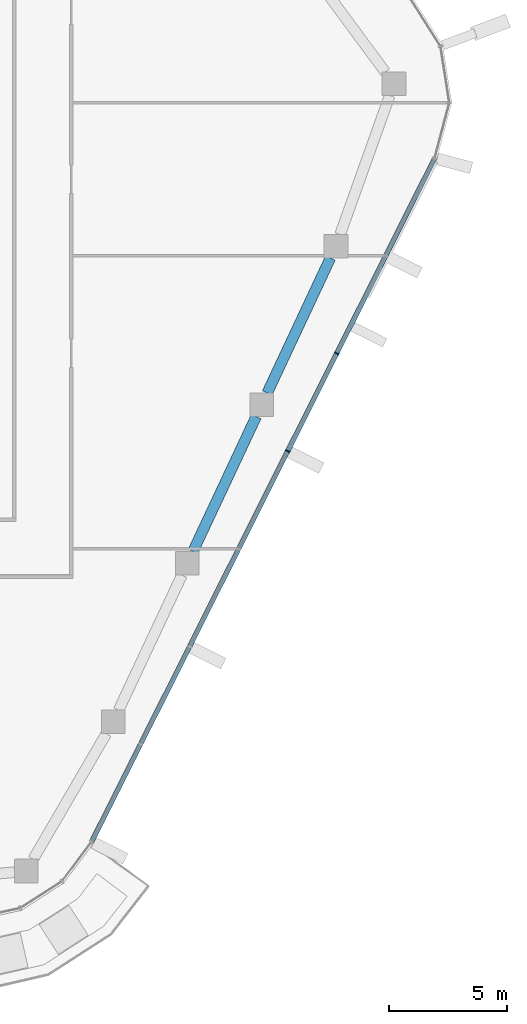
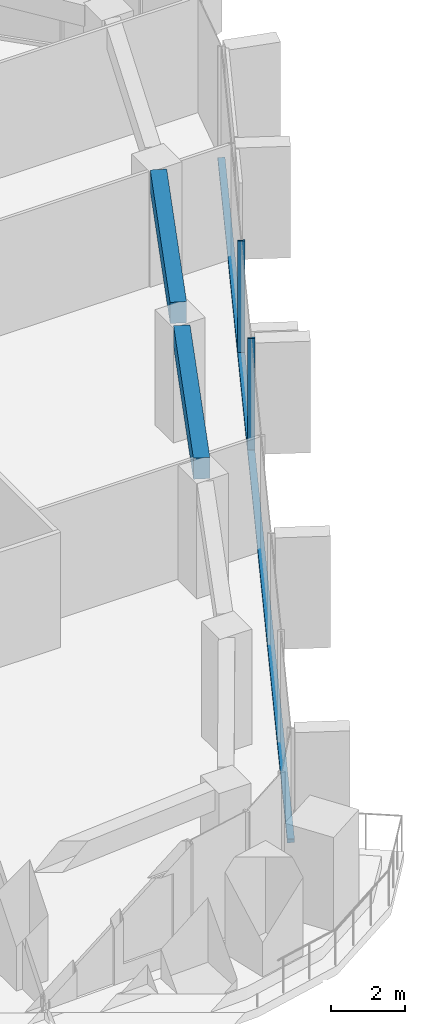
# One storey, part 5 of 24: 3 members, 2 beams, 1 element without a shape of its own.
"""IFC4 building model written with IfcOpenShell, lengths in metres."""

from ifc_helpers import new_model, si_unit, direction, frame, origin, origin_2d, place, context, subcontext, project, spatial, rectangle, extrude, material, layer, layer_set, material_profile, profile_set, type_object, element, aggregate, save


model = new_model("IFC4")

# Units and contexts
model_context = context("Model", 3, precision=1e-05, world=origin(), true_north=direction((0.0, 1.0)))
body_context = subcontext(model_context, "Body", "Model", "MODEL_VIEW")
ifc_project = project(units=[si_unit("LENGTHUNIT", "METRE"), si_unit("AREAUNIT", "SQUARE_METRE"), si_unit("VOLUMEUNIT", "CUBIC_METRE"), si_unit("PLANEANGLEUNIT", "RADIAN"), si_unit("MASSUNIT", "GRAM", prefix="KILO")], contexts=[model_context])

# Site, building, storey
site_placement = place(None, origin())
site = spatial("IfcSite", under=ifc_project, at=site_placement, CompositionType="ELEMENT")
building_placement = place(site_placement, origin())
building = spatial("IfcBuilding", under=site, at=building_placement, Name="Dongbaek Canopy Tower", CompositionType="ELEMENT")
storey_placement = place(building_placement, frame((0.0, 0.0, 306.800048828125)))
storey = spatial("IfcBuildingStorey", under=building, at=storey_placement, Name="L65", CompositionType="ELEMENT", Elevation=306.800048828125)

# Curtain wall, members
ifc_material_1 = material(Name="Aluminium 6063-T6 pale anodised", Category="aluminium")
ifc_layer = layer(ifc_material_1, 0.199951171875)
ifc_layer_set = layer_set([ifc_layer], Name="CW-1 unitised tower curtain wall")
curtain_wall_type = type_object("IfcCurtainWallType", Name="CW-1 unitised tower curtain wall", PredefinedType="NOTDEFINED", material=ifc_layer_set)
curtain_wall_placement = place(storey_placement, origin())
curtain_wall = element("IfcCurtainWall", 1, at=curtain_wall_placement, inside=storey, type_object=curtain_wall_type, Name="CW-1 curtain wall F5.1", PredefinedType="NOTDEFINED")
ifc_material_2 = material(Name="Aluminium 6063-T6 pale anodised", Category="aluminium")
ifc_material_profile_1 = material_profile(ifc_material_2, rectangle(XDim=0.199951171875, YDim=0.06005859375, at=origin_2d()), Name="CW-1 mullion 60 x 200")
ifc_profile_set_1 = profile_set([ifc_material_profile_1], Name="Aluminium 6063-T6 pale anodised")
member_type_1 = type_object("IfcMemberType", Name="CW-1 mullion 60 x 200", PredefinedType="MULLION", material=ifc_profile_set_1)
member_1_placement = place(storey_placement, frame((26.309326171875, -8.841064453125, 0.119873046875), z_axis=(0.0, 0.0, 1.0), x_axis=(0.893733414129, -0.448598466859, 0.0)))
member_1 = element("IfcMember", 2, at=member_1_placement, type_object=member_type_1, Name="CW-1 mullion F5.1.5", PredefinedType="MULLION", context=body_context, shape_type="SweptSolid", body=[
    extrude(rectangle(XDim=0.199951171875, YDim=0.06005859375, at=origin_2d()), origin(), (0.0, 0.0, 1.0), 3.7001953125),
])
member_2_placement = place(storey_placement, frame((28.38427734375, -4.707275390625, 0.119873046875), z_axis=(0.0, 0.0, 1.0), x_axis=(0.893733414129, -0.448598466859, 0.0)))
member_2 = element("IfcMember", 3, at=member_2_placement, type_object=member_type_1, Name="CW-1 mullion F5.1.6", PredefinedType="MULLION", context=body_context, shape_type="SweptSolid", body=[
    extrude(rectangle(XDim=0.199951171875, YDim=0.06005859375, at=origin_2d()), origin(), (0.0, 0.0, 1.0), 3.7001953125),
])
ifc_material_3 = material(Name="Aluminium 6063-T6 pale anodised", Category="aluminium")
ifc_material_profile_2 = material_profile(ifc_material_3, rectangle(XDim=0.199951171875, YDim=0.1201171875, at=origin_2d()), Name="CW-1 transom 120 x 200")
ifc_profile_set_2 = profile_set([ifc_material_profile_2], Name="Aluminium 6063-T6 pale anodised")
member_type_2 = type_object("IfcMemberType", Name="CW-1 transom 120 x 200", PredefinedType="USERDEFINED", material=ifc_profile_set_2)
member_3_placement = place(storey_placement, frame((18.013427734375, -25.36865234375, 0.06005859375), z_axis=(0.448601308033, 0.893731988032, 0.0), x_axis=(-0.893731988032, 0.448601308033, 0.0)))
member_3 = element("IfcMember", 4, at=member_3_placement, type_object=member_type_2, Name="CW-1 transom F5.1.1", ObjectType="TRANSOM", PredefinedType="USERDEFINED", context=body_context, shape_type="SweptSolid", body=[
    extrude(rectangle(XDim=0.199951171875, YDim=0.1201171875, at=origin_2d()), origin(), (0.0, 0.0, 1.0), 32.358642578125),
])
aggregate(curtain_wall, [member_1, member_2, member_3])

# Beams
ifc_material_4 = material(Name="Concrete C60", Category="concrete")
ifc_material_profile_3 = material_profile(ifc_material_4, rectangle(XDim=0.449951171875, YDim=0.699951171875, at=origin_2d()), Name="RC EDGE BEAM 450x700 C60")
ifc_profile_set_3 = profile_set([ifc_material_profile_3], Name="Concrete C60")
beam_type = type_object("IfcBeamType", Name="RC EDGE BEAM 450x700 C60", PredefinedType="BEAM", material=ifc_profile_set_3)
beam_1_placement = place(storey_placement, frame((28.116943359375, -0.669921875, 3.469970703125), z_axis=(-0.42401310583, -0.905656052861, 0.0), x_axis=(0.905656052861, -0.42401310583, 0.0)))
element("IfcBeam", 5, at=beam_1_placement, inside=storey, type_object=beam_type, Name="EDGEBEAM:L65:22", PredefinedType="BEAM", context=body_context, shape_type="SweptSolid", body=[
    extrude(rectangle(XDim=0.449951171875, YDim=0.699951171875, at=origin_2d()), origin(), (0.0, 0.0, 1.0), 6.3037109375),
])
beam_2_placement = place(storey_placement, frame((24.975830078125, -7.37890625, 3.469970703125), z_axis=(-0.424108398663, -0.905611432229, 0.0), x_axis=(0.905611432229, -0.424108398663, 0.0)))
element("IfcBeam", 6, at=beam_2_placement, inside=storey, type_object=beam_type, Name="EDGEBEAM:L65:23", PredefinedType="BEAM", context=body_context, shape_type="SweptSolid", body=[
    extrude(rectangle(XDim=0.449951171875, YDim=0.699951171875, at=origin_2d()), origin(), (0.0, 0.0, 1.0), 6.303955078125),
])

save(model, "model.ifc")
